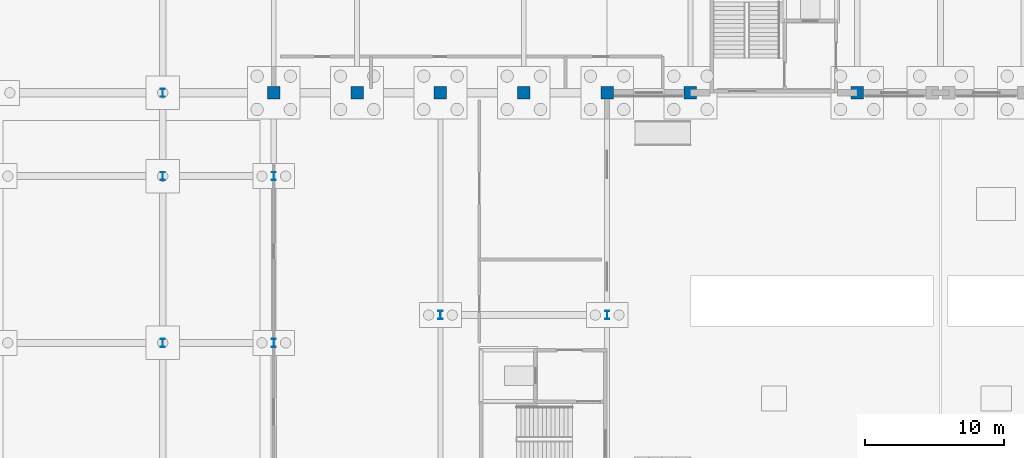
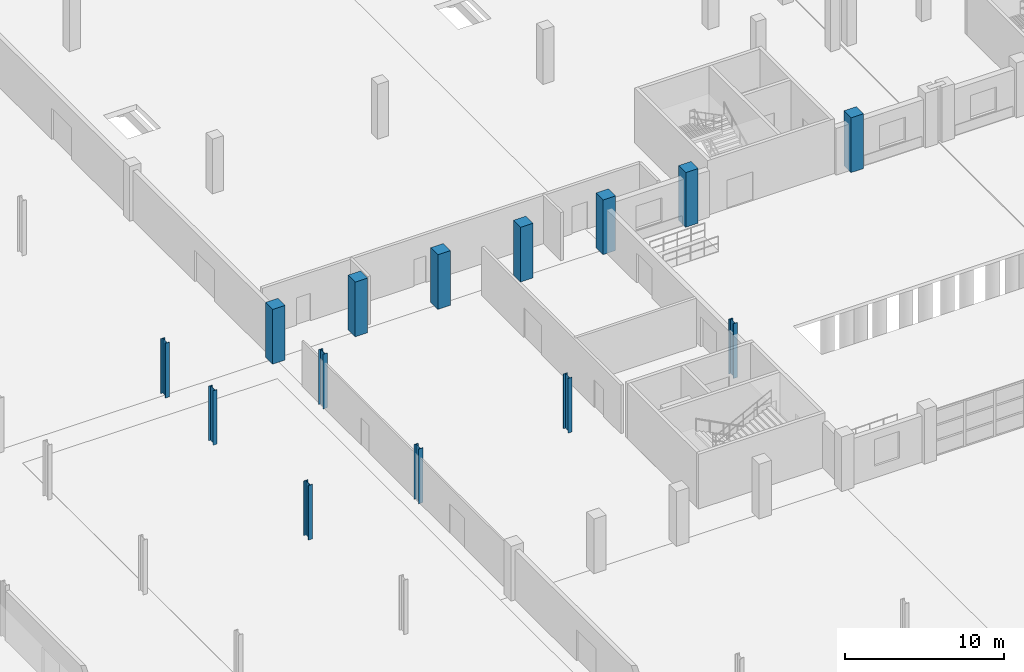
# One storey, part 22 of 77: 14 columns.
"""IFC4 building model written with IfcOpenShell, lengths in metres."""

from ifc_helpers import new_model, si_unit, direction, frame, origin, origin_2d, place, context, subcontext, project, spatial, rectangle, i_section, extrude, material, material_profile, profile_set, type_object, element, save


model = new_model("IFC4")

# Units and contexts
model_context = context("Model", 3, precision=1e-05, world=origin(), true_north=direction((0.0, 1.0)))
body_context = subcontext(model_context, "Body", "Model", "MODEL_VIEW")
ifc_project = project(units=[si_unit("LENGTHUNIT", "METRE"), si_unit("AREAUNIT", "SQUARE_METRE"), si_unit("VOLUMEUNIT", "CUBIC_METRE"), si_unit("PLANEANGLEUNIT", "RADIAN"), si_unit("MASSUNIT", "GRAM", prefix="KILO")], contexts=[model_context])

# Site, building, storey
site_placement = place(None, origin())
site = spatial("IfcSite", under=ifc_project, at=site_placement, CompositionType="ELEMENT")
building_placement = place(site_placement, origin())
building = spatial("IfcBuilding", under=site, at=building_placement, Name="Zilviju Railside Exhibition Hall", CompositionType="ELEMENT")
storey_placement = place(building_placement, origin())
storey = spatial("IfcBuildingStorey", under=building, at=storey_placement, Name="L01", CompositionType="ELEMENT", Elevation=0.0)

# Columns
ifc_material_1 = material(Name="Concrete C40/50", Category="concrete")
ifc_material_profile_1 = material_profile(ifc_material_1, rectangle(XDim=0.89990234375, YDim=0.89990234375, at=origin_2d()), Name="RC COL 900x900")
ifc_profile_set_1 = profile_set([ifc_material_profile_1], Name="Concrete C40/50")
column_type_1 = type_object("IfcColumnType", Name="COL-RC-900", PredefinedType="COLUMN", material=ifc_profile_set_1)
for number, where, z_axis, x_axis, name in (
    (1, (78.0, 84.0, 0.0), (0.0, 0.0, 1.0), (1.0, 0.0, 0.0), "Structural Column L01 (78.0, 84.0)"),
    (2, (84.0, 84.0, 0.0), (0.0, 0.0, 1.0), (1.0, 0.0, 0.0), "Structural Column L01 (84.0, 84.0)"),
    (3, (90.0, 84.0, 0.0), (0.0, 0.0, 1.0), (1.0, 0.0, 0.0), "Structural Column L01 (90.0, 84.0)"),
    (4, (96.0, 84.0, 0.0), (0.0, 0.0, 1.0), (1.0, 0.0, 0.0), "Structural Column L01 (96.0, 84.0)"),
    (5, (102.0, 84.0, 0.0), (0.0, 0.0, 1.0), (1.0, 0.0, 0.0), "Structural Column L01 (102.0, 84.0)"),
    (6, (108.0, 84.0, 0.0), (0.0, 0.0, 1.0), (1.0, 0.0, 0.0), "Structural Column L01 (108.0, 84.0)"),
    (7, (120.0, 84.0, 0.0), (0.0, 0.0, 1.0), (1.0, 0.0, 0.0), "Structural Column L01 (120.0, 84.0)"),
):
    element("IfcColumn", number, at=place(storey_placement, frame(where, z_axis=z_axis, x_axis=x_axis)), inside=storey, type_object=column_type_1, Name=name, PredefinedType="COLUMN", context=body_context, shape_type="SweptSolid", body=[
        extrude(rectangle(XDim=0.89990234375, YDim=0.89990234375, at=origin_2d()), origin(), (0.0, 0.0, 1.0), 4.199951171875),
    ])
ifc_material_2 = material(Name="Steel S355J2", Category="steel")
ifc_material_profile_2 = material_profile(ifc_material_2, i_section(OverallWidth=0.300048828125, OverallDepth=0.60009765625, WebThickness=0.015380859375, FlangeThickness=0.030029296875, at=origin_2d()), Name="HEB 600")
ifc_profile_set_2 = profile_set([ifc_material_profile_2], Name="Steel S355J2")
column_type_2 = type_object("IfcColumnType", Name="COL-ST-HEB600", PredefinedType="COLUMN", material=ifc_profile_set_2)
for number, where, z_axis, x_axis, name in (
    (8, (70.0, 66.0, 0.0), (0.0, 0.0, 1.0), (1.0, 0.0, 0.0), "Structural Column L01 (70.0, 66.0)"),
    (9, (78.0, 66.0, 0.0), (0.0, 0.0, 1.0), (1.0, 0.0, 0.0), "Structural Column L01 (78.0, 66.0)"),
    (10, (90.0, 68.0, 0.0), (0.0, 0.0, 1.0), (1.0, 0.0, 0.0), "Structural Column L01 (90.0, 68.0)"),
    (11, (102.0, 68.0, 0.0), (0.0, 0.0, 1.0), (1.0, 0.0, 0.0), "Structural Column L01 (102.0, 68.0)"),
    (12, (70.0, 78.0, 0.0), (0.0, 0.0, 1.0), (1.0, 0.0, 0.0), "Structural Column L01 (70.0, 78.0)"),
    (13, (78.0, 78.0, 0.0), (0.0, 0.0, 1.0), (1.0, 0.0, 0.0), "Structural Column L01 (78.0, 78.0)"),
    (14, (70.0, 84.0, 0.0), (0.0, 0.0, 1.0), (1.0, 0.0, 0.0), "Structural Column L01 (70.0, 84.0)"),
):
    element("IfcColumn", number, at=place(storey_placement, frame(where, z_axis=z_axis, x_axis=x_axis)), inside=storey, type_object=column_type_2, Name=name, PredefinedType="COLUMN", context=body_context, shape_type="SweptSolid", body=[
        extrude(i_section(OverallWidth=0.300048828125, OverallDepth=0.60009765625, WebThickness=0.015380859375, FlangeThickness=0.030029296875, at=origin_2d()), origin(), (0.0, 0.0, 1.0), 4.199951171875),
    ])

save(model, "model.ifc")
